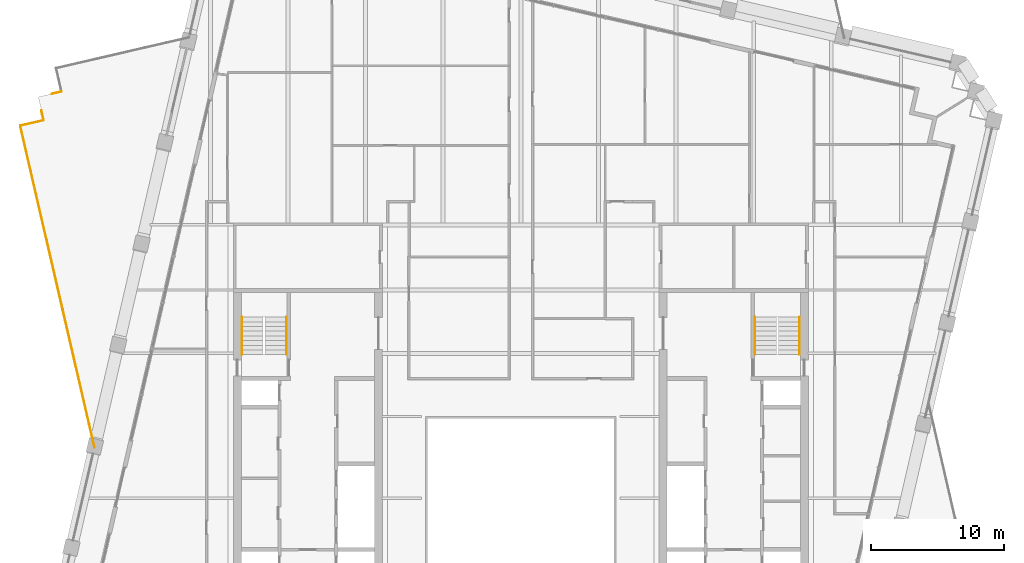
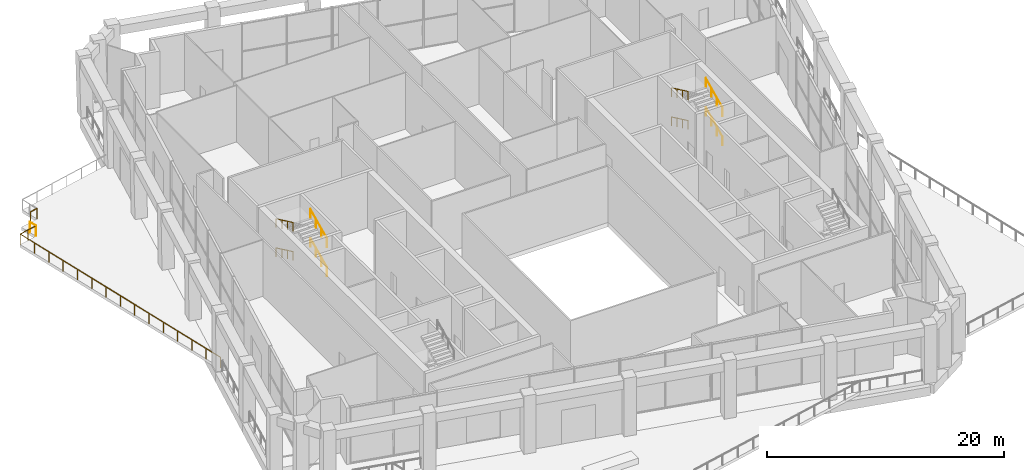
# One storey, part 19 of 21: 12 railings.
"""IFC4 building model written with IfcOpenShell, lengths in metres."""

from ifc_helpers import new_model, si_unit, direction, frame, origin, origin_2d, place, context, subcontext, project, spatial, circle, extrude, material, type_object, element, save


model = new_model("IFC4")

# Units and contexts
model_context = context("Model", 3, precision=1e-05, world=origin(), true_north=direction((0.0, 1.0)))
body_context = subcontext(model_context, "Body", "Model", "MODEL_VIEW")
ifc_project = project(units=[si_unit("LENGTHUNIT", "METRE"), si_unit("AREAUNIT", "SQUARE_METRE"), si_unit("VOLUMEUNIT", "CUBIC_METRE"), si_unit("PLANEANGLEUNIT", "RADIAN"), si_unit("MASSUNIT", "GRAM", prefix="KILO")], contexts=[model_context])

# Site, building, storey
site_placement = place(None, origin())
site = spatial("IfcSite", under=ifc_project, at=site_placement, CompositionType="ELEMENT")
building_placement = place(site_placement, origin())
building = spatial("IfcBuilding", under=site, at=building_placement, Name="Ogive Exchange Tower", CompositionType="ELEMENT")
storey_placement = place(building_placement, frame((0.0, 0.0, 237.0)))
storey = spatial("IfcBuildingStorey", under=building, at=storey_placement, Name="L51", CompositionType="ELEMENT", Elevation=237.0)

# Railings
ifc_material_1 = material(Name="Stainless steel 316", Category="steel")
railing_type_1 = type_object("IfcRailingType", Name="Balustrade 1100 glass and stainless steel", PredefinedType="BALUSTRADE", material=ifc_material_1)
railing_1_placement = place(storey_placement, frame((-37.598876953125, 37.99560546875, 0.0)))
element("IfcRailing", 1, at=railing_1_placement, inside=storey, type_object=railing_type_1, Name="Terrace balustrade 13", PredefinedType="BALUSTRADE", context=body_context, shape_type="SweptSolid", body=[
    extrude(circle(Radius=0.02392578125, at=origin_2d()), frame((0.0, 0.0, 1.076171875), z_axis=(0.974386623598, 0.224879318197, 0.0), x_axis=(-0.224879318197, 0.974386623598, 0.0)), (0.0, 0.0, 1.0), 1.800048828125),
    extrude(circle(Radius=0.02099609375, at=origin_2d()), origin(), (0.0, 0.0, 1.0), 1.052001953125),
    extrude(circle(Radius=0.02099609375, at=origin_2d()), frame((0.876953125, 0.202392578125, 0.0)), (0.0, 0.0, 1.0), 1.052001953125),
    extrude(circle(Radius=0.02099609375, at=origin_2d()), frame((1.75390625, 0.40478515625, 0.0)), (0.0, 0.0, 1.0), 1.052001953125),
])
railing_2_placement = place(storey_placement, frame((-35.844970703125, 38.400390625, 0.0)))
element("IfcRailing", 2, at=railing_2_placement, inside=storey, type_object=railing_type_1, Name="Terrace balustrade 14", PredefinedType="BALUSTRADE", context=body_context, shape_type="SweptSolid", body=[
    extrude(circle(Radius=0.02392578125, at=origin_2d()), frame((0.0, 0.0, 1.076171875), z_axis=(-0.225025988766, 0.974352761776, 0.0), x_axis=(-0.974352761776, -0.225025988766, 0.0)), (0.0, 0.0, 1.0), 0.749755859375),
    extrude(circle(Radius=0.02099609375, at=origin_2d()), origin(), (0.0, 0.0, 1.0), 1.052001953125),
    extrude(circle(Radius=0.02099609375, at=origin_2d()), frame((-0.168701171875, 0.73046875, 0.0)), (0.0, 0.0, 1.0), 1.052001953125),
])
railing_3_placement = place(storey_placement, frame((-35.22705078125, 40.390380859375, 0.0)))
element("IfcRailing", 3, at=railing_3_placement, inside=storey, type_object=railing_type_1, Name="Terrace balustrade 15", PredefinedType="BALUSTRADE", context=body_context, shape_type="SweptSolid", body=[
    extrude(circle(Radius=0.02392578125, at=origin_2d()), frame((0.0, 0.0, 1.076171875), z_axis=(0.974385710358, 0.224883275169, 0.0), x_axis=(-0.224883275169, 0.974385710358, 0.0)), (0.0, 0.0, 1.0), 0.750244140625),
    extrude(circle(Radius=0.02099609375, at=origin_2d()), origin(), (0.0, 0.0, 1.0), 1.052001953125),
    extrude(circle(Radius=0.02099609375, at=origin_2d()), frame((0.73095703125, 0.168701171875, 0.0)), (0.0, 0.0, 1.0), 1.052001953125),
])
railing_4_placement = place(storey_placement, frame((-32.0205078125, 13.8330078125, 0.0)))
element("IfcRailing", 4, at=railing_4_placement, inside=storey, type_object=railing_type_1, Name="Terrace balustrade 18", PredefinedType="BALUSTRADE", context=body_context, shape_type="SweptSolid", body=[
    extrude(circle(Radius=0.02392578125, at=origin_2d()), frame((0.0, 0.0, 1.076171875), z_axis=(-0.224950821833, 0.974370118465, 0.0), x_axis=(-0.974370118465, -0.224950821833, 0.0)), (0.0, 0.0, 1.0), 24.798095703125),
    extrude(circle(Radius=0.02099609375, at=origin_2d()), origin(), (0.0, 0.0, 1.0), 1.052001953125),
    extrude(circle(Radius=0.02099609375, at=origin_2d()), frame((-0.3984375, 1.725830078125, 0.0)), (0.0, 0.0, 1.0), 1.052001953125),
    extrude(circle(Radius=0.02099609375, at=origin_2d()), frame((-0.796875, 3.451904296875, 0.0)), (0.0, 0.0, 1.0), 1.052001953125),
    extrude(circle(Radius=0.02099609375, at=origin_2d()), frame((-1.1953125, 5.177734375, 0.0)), (0.0, 0.0, 1.0), 1.052001953125),
    extrude(circle(Radius=0.02099609375, at=origin_2d()), frame((-1.59375, 6.903564453125, 0.0)), (0.0, 0.0, 1.0), 1.052001953125),
    extrude(circle(Radius=0.02099609375, at=origin_2d()), frame((-1.9921875, 8.62939453125, 0.0)), (0.0, 0.0, 1.0), 1.052001953125),
    extrude(circle(Radius=0.02099609375, at=origin_2d()), frame((-2.390625, 10.35546875, 0.0)), (0.0, 0.0, 1.0), 1.052001953125),
    extrude(circle(Radius=0.02099609375, at=origin_2d()), frame((-2.7890625, 12.081298828125, 0.0)), (0.0, 0.0, 1.0), 1.052001953125),
    extrude(circle(Radius=0.02099609375, at=origin_2d()), frame((-3.187744140625, 13.80712890625, 0.0)), (0.0, 0.0, 1.0), 1.052001953125),
    extrude(circle(Radius=0.02099609375, at=origin_2d()), frame((-3.586181640625, 15.533203125, 0.0)), (0.0, 0.0, 1.0), 1.052001953125),
    extrude(circle(Radius=0.02099609375, at=origin_2d()), frame((-3.984619140625, 17.259033203125, 0.0)), (0.0, 0.0, 1.0), 1.052001953125),
    extrude(circle(Radius=0.02099609375, at=origin_2d()), frame((-4.383056640625, 18.98486328125, 0.0)), (0.0, 0.0, 1.0), 1.052001953125),
    extrude(circle(Radius=0.02099609375, at=origin_2d()), frame((-4.781494140625, 20.710693359375, 0.0)), (0.0, 0.0, 1.0), 1.052001953125),
    extrude(circle(Radius=0.02099609375, at=origin_2d()), frame((-5.179931640625, 22.436767578125, 0.0)), (0.0, 0.0, 1.0), 1.052001953125),
    extrude(circle(Radius=0.02099609375, at=origin_2d()), frame((-5.578369140625, 24.16259765625, 0.0)), (0.0, 0.0, 1.0), 1.052001953125),
])
ifc_material_2 = material(Name="Stainless steel", Category="steel")
railing_type_2 = type_object("IfcRailingType", Name="Stair handrail 900", PredefinedType="HANDRAIL", material=ifc_material_2)
railing_5_placement = place(storey_placement, frame((-17.60009765625, 20.800048828125, 0.166748046875)))
element("IfcRailing", 5, at=railing_5_placement, inside=storey, type_object=railing_type_2, Name="L51 ST2 stair handrail 1", PredefinedType="HANDRAIL", context=body_context, shape_type="SweptSolid", body=[
    extrude(circle(Radius=0.02392578125, at=origin_2d()), frame((0.0, 0.0, 0.8759765625), z_axis=(0.0, 0.903337615296, 0.428930242338), x_axis=(-1.0, 0.0, 0.0)), (0.0, 0.0, 1.0), 3.1083984375),
    extrude(circle(Radius=0.02099609375, at=origin_2d()), origin(), (0.0, 0.0, 1.0), 0.851806640625),
    extrude(circle(Radius=0.02099609375, at=origin_2d()), frame((0.0, 0.93603515625, 0.4443359375)), (0.0, 0.0, 1.0), 0.851806640625),
    extrude(circle(Radius=0.02099609375, at=origin_2d()), frame((0.0, 1.871826171875, 0.888916015625)), (0.0, 0.0, 1.0), 0.851806640625),
    extrude(circle(Radius=0.02099609375, at=origin_2d()), frame((0.0, 2.807861328125, 1.333251953125)), (0.0, 0.0, 1.0), 0.851806640625),
])
railing_6_placement = place(storey_placement, frame((-20.949951171875, 23.60791015625, 1.666748046875)))
element("IfcRailing", 6, at=railing_6_placement, inside=storey, type_object=railing_type_2, Name="L51 ST2 stair handrail 2", PredefinedType="HANDRAIL", context=body_context, shape_type="SweptSolid", body=[
    extrude(circle(Radius=0.02392578125, at=origin_2d()), frame((0.0, 0.0, 0.8759765625), z_axis=(0.0, -0.903337615296, 0.428930242338), x_axis=(1.0, 0.0, 0.0)), (0.0, 0.0, 1.0), 3.1083984375),
    extrude(circle(Radius=0.02099609375, at=origin_2d()), origin(), (0.0, 0.0, 1.0), 0.851806640625),
    extrude(circle(Radius=0.02099609375, at=origin_2d()), frame((0.0, -0.93603515625, 0.4443359375)), (0.0, 0.0, 1.0), 0.851806640625),
    extrude(circle(Radius=0.02099609375, at=origin_2d()), frame((0.0, -1.871826171875, 0.888916015625)), (0.0, 0.0, 1.0), 0.851806640625),
    extrude(circle(Radius=0.02099609375, at=origin_2d()), frame((0.0, -2.807861328125, 1.333251953125)), (0.0, 0.0, 1.0), 0.851806640625),
])
railing_7_placement = place(storey_placement, frame((-17.60009765625, 20.800048828125, 3.166748046875)))
element("IfcRailing", 7, at=railing_7_placement, inside=storey, type_object=railing_type_2, Name="L51 ST2 stair handrail 3", PredefinedType="HANDRAIL", context=body_context, shape_type="SweptSolid", body=[
    extrude(circle(Radius=0.02392578125, at=origin_2d()), frame((0.0, 0.0, 0.8759765625), z_axis=(0.0, 0.903337615296, 0.428930242338), x_axis=(-1.0, 0.0, 0.0)), (0.0, 0.0, 1.0), 3.1083984375),
    extrude(circle(Radius=0.02099609375, at=origin_2d()), origin(), (0.0, 0.0, 1.0), 0.851806640625),
    extrude(circle(Radius=0.02099609375, at=origin_2d()), frame((0.0, 0.93603515625, 0.4443359375)), (0.0, 0.0, 1.0), 0.851806640625),
    extrude(circle(Radius=0.02099609375, at=origin_2d()), frame((0.0, 1.871826171875, 0.888916015625)), (0.0, 0.0, 1.0), 0.851806640625),
    extrude(circle(Radius=0.02099609375, at=origin_2d()), frame((0.0, 2.807861328125, 1.333251953125)), (0.0, 0.0, 1.0), 0.851806640625),
])
railing_8_placement = place(storey_placement, frame((-20.949951171875, 23.60791015625, 4.666748046875)))
element("IfcRailing", 8, at=railing_8_placement, inside=storey, type_object=railing_type_2, Name="L51 ST2 stair handrail 4", PredefinedType="HANDRAIL", context=body_context, shape_type="SweptSolid", body=[
    extrude(circle(Radius=0.02392578125, at=origin_2d()), frame((0.0, 0.0, 0.8759765625), z_axis=(0.0, -0.903337615296, 0.428930242338), x_axis=(1.0, 0.0, 0.0)), (0.0, 0.0, 1.0), 3.1083984375),
    extrude(circle(Radius=0.02099609375, at=origin_2d()), origin(), (0.0, 0.0, 1.0), 0.851806640625),
    extrude(circle(Radius=0.02099609375, at=origin_2d()), frame((0.0, -0.93603515625, 0.4443359375)), (0.0, 0.0, 1.0), 0.851806640625),
    extrude(circle(Radius=0.02099609375, at=origin_2d()), frame((0.0, -1.871826171875, 0.888916015625)), (0.0, 0.0, 1.0), 0.851806640625),
    extrude(circle(Radius=0.02099609375, at=origin_2d()), frame((0.0, -2.807861328125, 1.333251953125)), (0.0, 0.0, 1.0), 0.851806640625),
])
railing_9_placement = place(storey_placement, frame((20.949951171875, 20.800048828125, 0.166748046875)))
element("IfcRailing", 9, at=railing_9_placement, inside=storey, type_object=railing_type_2, Name="L51 ST4 stair handrail 1", PredefinedType="HANDRAIL", context=body_context, shape_type="SweptSolid", body=[
    extrude(circle(Radius=0.02392578125, at=origin_2d()), frame((0.0, 0.0, 0.8759765625), z_axis=(0.0, 0.903337615296, 0.428930242338), x_axis=(-1.0, 0.0, 0.0)), (0.0, 0.0, 1.0), 3.1083984375),
    extrude(circle(Radius=0.02099609375, at=origin_2d()), origin(), (0.0, 0.0, 1.0), 0.851806640625),
    extrude(circle(Radius=0.02099609375, at=origin_2d()), frame((0.0, 0.93603515625, 0.4443359375)), (0.0, 0.0, 1.0), 0.851806640625),
    extrude(circle(Radius=0.02099609375, at=origin_2d()), frame((0.0, 1.871826171875, 0.888916015625)), (0.0, 0.0, 1.0), 0.851806640625),
    extrude(circle(Radius=0.02099609375, at=origin_2d()), frame((0.0, 2.807861328125, 1.333251953125)), (0.0, 0.0, 1.0), 0.851806640625),
])
railing_10_placement = place(storey_placement, frame((17.60009765625, 23.60791015625, 1.666748046875)))
element("IfcRailing", 10, at=railing_10_placement, inside=storey, type_object=railing_type_2, Name="L51 ST4 stair handrail 2", PredefinedType="HANDRAIL", context=body_context, shape_type="SweptSolid", body=[
    extrude(circle(Radius=0.02392578125, at=origin_2d()), frame((0.0, 0.0, 0.8759765625), z_axis=(0.0, -0.903337615296, 0.428930242338), x_axis=(1.0, 0.0, 0.0)), (0.0, 0.0, 1.0), 3.1083984375),
    extrude(circle(Radius=0.02099609375, at=origin_2d()), origin(), (0.0, 0.0, 1.0), 0.851806640625),
    extrude(circle(Radius=0.02099609375, at=origin_2d()), frame((0.0, -0.93603515625, 0.4443359375)), (0.0, 0.0, 1.0), 0.851806640625),
    extrude(circle(Radius=0.02099609375, at=origin_2d()), frame((0.0, -1.871826171875, 0.888916015625)), (0.0, 0.0, 1.0), 0.851806640625),
    extrude(circle(Radius=0.02099609375, at=origin_2d()), frame((0.0, -2.807861328125, 1.333251953125)), (0.0, 0.0, 1.0), 0.851806640625),
])
railing_11_placement = place(storey_placement, frame((20.949951171875, 20.800048828125, 3.166748046875)))
element("IfcRailing", 11, at=railing_11_placement, inside=storey, type_object=railing_type_2, Name="L51 ST4 stair handrail 3", PredefinedType="HANDRAIL", context=body_context, shape_type="SweptSolid", body=[
    extrude(circle(Radius=0.02392578125, at=origin_2d()), frame((0.0, 0.0, 0.8759765625), z_axis=(0.0, 0.903337615296, 0.428930242338), x_axis=(-1.0, 0.0, 0.0)), (0.0, 0.0, 1.0), 3.1083984375),
    extrude(circle(Radius=0.02099609375, at=origin_2d()), origin(), (0.0, 0.0, 1.0), 0.851806640625),
    extrude(circle(Radius=0.02099609375, at=origin_2d()), frame((0.0, 0.93603515625, 0.4443359375)), (0.0, 0.0, 1.0), 0.851806640625),
    extrude(circle(Radius=0.02099609375, at=origin_2d()), frame((0.0, 1.871826171875, 0.888916015625)), (0.0, 0.0, 1.0), 0.851806640625),
    extrude(circle(Radius=0.02099609375, at=origin_2d()), frame((0.0, 2.807861328125, 1.333251953125)), (0.0, 0.0, 1.0), 0.851806640625),
])
railing_12_placement = place(storey_placement, frame((17.60009765625, 23.60791015625, 4.666748046875)))
element("IfcRailing", 12, at=railing_12_placement, inside=storey, type_object=railing_type_2, Name="L51 ST4 stair handrail 4", PredefinedType="HANDRAIL", context=body_context, shape_type="SweptSolid", body=[
    extrude(circle(Radius=0.02392578125, at=origin_2d()), frame((0.0, 0.0, 0.8759765625), z_axis=(0.0, -0.903337615296, 0.428930242338), x_axis=(1.0, 0.0, 0.0)), (0.0, 0.0, 1.0), 3.1083984375),
    extrude(circle(Radius=0.02099609375, at=origin_2d()), origin(), (0.0, 0.0, 1.0), 0.851806640625),
    extrude(circle(Radius=0.02099609375, at=origin_2d()), frame((0.0, -0.93603515625, 0.4443359375)), (0.0, 0.0, 1.0), 0.851806640625),
    extrude(circle(Radius=0.02099609375, at=origin_2d()), frame((0.0, -1.871826171875, 0.888916015625)), (0.0, 0.0, 1.0), 0.851806640625),
    extrude(circle(Radius=0.02099609375, at=origin_2d()), frame((0.0, -2.807861328125, 1.333251953125)), (0.0, 0.0, 1.0), 0.851806640625),
])

save(model, "model.ifc")
